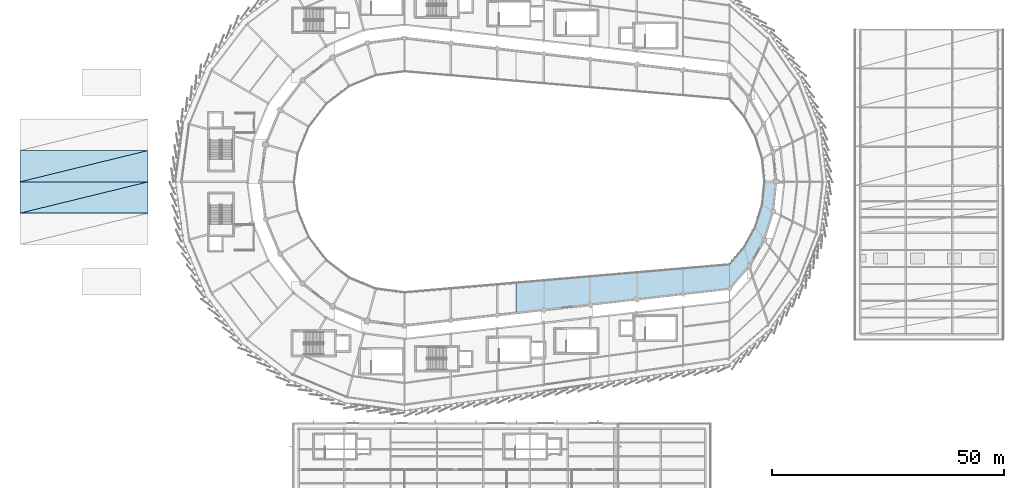
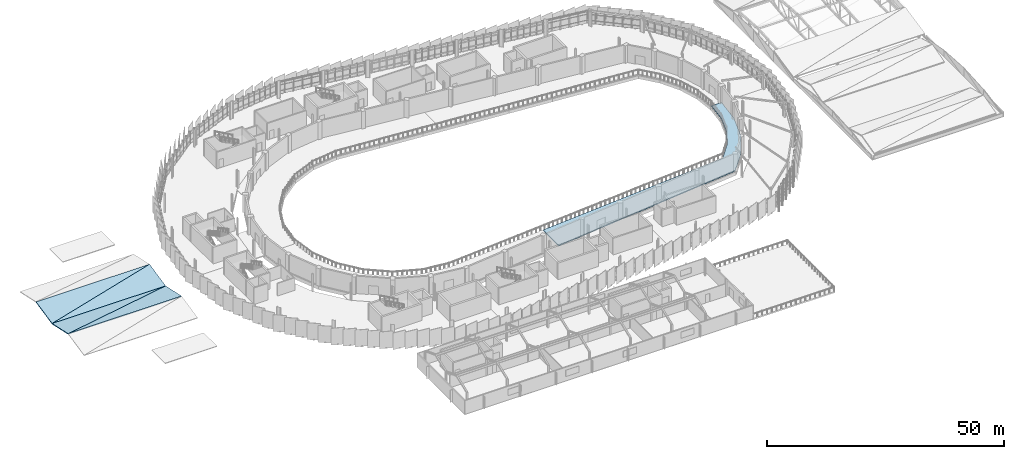
# One storey, part 63 of 87: 5 slabs.
"""IFC4 building model written with IfcOpenShell, lengths in metres."""

import ifcopenshell
import ifcopenshell.guid

model = None  # the IFC model being written
_history = None  # IfcOwnerHistory: only IFC2X3 demands one
_inside = {}  # id of a spatial element -> (the spatial element, [elements in it])
_under = {}  # id of a project, library or spatial element -> (it, [spatial elements below it])
_declared = {}  # id of a project -> (the project, [libraries it declares])
_typed = {}  # id of a type object -> (the type object, [elements of that type])
_made_of = {}  # id of a material, layer set ... -> (it, [elements and type objects made of it])


def new_model(schema):
    """Start an empty IFC model of exactly this schema.

    Asked for "IFC4X3", IfcOpenShell would pick the latest addendum, in which some entities
    have other attributes; the version numbers below select the first issue.
    IFC2X3 requires an IfcOwnerHistory on every rooted entity: one is made here for all.
    """
    global model, _history
    if schema == "IFC4X3":
        model = ifcopenshell.file(schema_version=(4, 3, 0, 0))
    else:
        model = ifcopenshell.file(schema=schema)
    _inside.clear()
    _under.clear()
    _declared.clear()
    _typed.clear()
    _made_of.clear()
    _history = None
    if model.schema == "IFC2X3":
        org = make("IfcOrganization", Name="unknown")
        user = make(
            "IfcPersonAndOrganization",
            ThePerson=make("IfcPerson", FamilyName="unknown"),
            TheOrganization=org,
        )
        app = make(
            "IfcApplication",
            ApplicationDeveloper=org,
            Version="unknown",
            ApplicationFullName="unknown",
            ApplicationIdentifier="unknown",
        )
        _history = make(
            "IfcOwnerHistory",
            OwningUser=user,
            OwningApplication=app,
            ChangeAction="ADDED",
            CreationDate=0,
        )
    return model


def make(cls, **values):
    """One entity of the class cls with the attributes given. An attribute that is None is left unset."""
    return model.create_entity(
        cls, **{name: value for name, value in values.items() if value is not None}
    )


def rooted(cls, **values):
    """An entity with a GlobalId (a new one), such as an element, a storey or a relation."""
    return make(cls, GlobalId=ifcopenshell.guid.new(), OwnerHistory=_history, **values)


def si_unit(unit_type, name, prefix=None):
    """IfcSIUnit, for example si_unit("LENGTHUNIT", "METRE", prefix="MILLI")."""
    return make("IfcSIUnit", UnitType=unit_type, Prefix=prefix, Name=name)


def assignment(units):
    """IfcUnitAssignment: the units of a project."""
    return None if units is None else make("IfcUnitAssignment", Units=units)


def point(xyz):
    """IfcCartesianPoint."""
    return None if xyz is None else make("IfcCartesianPoint", Coordinates=xyz)


def direction(xyz):
    """IfcDirection."""
    return None if xyz is None else make("IfcDirection", DirectionRatios=xyz)


def frame(location, z_axis=None, x_axis=None):
    """IfcAxis2Placement3D, a coordinate frame: its origin and axes. An axis left out is left unset."""
    return make(
        "IfcAxis2Placement3D",
        Location=point(location),
        Axis=direction(z_axis),
        RefDirection=direction(x_axis),
    )


def origin():
    """The frame at (0, 0, 0) with its axes left unset."""
    return frame((0.0, 0.0, 0.0))


def place(relative_to, where):
    """IfcLocalPlacement: puts the frame where relative to a parent placement (None: the world)."""
    return make(
        "IfcLocalPlacement", PlacementRelTo=relative_to, RelativePlacement=where
    )


def context(
    kind, dimensions, precision=None, world=None, true_north=None, identifier=None
):
    """IfcGeometricRepresentationContext, for example the 3D "Model" context."""
    return make(
        "IfcGeometricRepresentationContext",
        ContextIdentifier=identifier,
        ContextType=kind,
        CoordinateSpaceDimension=dimensions,
        Precision=precision,
        WorldCoordinateSystem=world,
        TrueNorth=true_north,
    )


def subcontext(parent, identifier, kind, view, scale=None):
    """IfcGeometricRepresentationSubContext, for example "Body" below "Model"."""
    return make(
        "IfcGeometricRepresentationSubContext",
        ContextIdentifier=identifier,
        ContextType=kind,
        ParentContext=parent,
        TargetScale=scale,
        TargetView=view,
    )


def project(units=None, contexts=None):
    """IfcProject with its units and contexts."""
    return rooted(
        "IfcProject",
        Name="project",
        RepresentationContexts=contexts,
        UnitsInContext=assignment(units),
    )


def spatial(cls, under=None, at=None, **own):
    """A site, building, storey or space (cls), placed at a placement, below another one or the project."""
    s = rooted(cls, ObjectPlacement=at, **own)
    if under is not None:
        _under.setdefault(under.id(), (under, []))[1].append(s)
    return s


def polyline(points):
    """IfcPolyline through the points."""
    return make("IfcPolyline", Points=[point(p) for p in points])


def outline(outer, holes=None, kind="AREA"):
    """IfcArbitraryClosedProfileDef: a profile drawn as a closed curve; with holes, ...WithVoids."""
    if holes is None:
        return make("IfcArbitraryClosedProfileDef", ProfileType=kind, OuterCurve=outer)
    return make(
        "IfcArbitraryProfileDefWithVoids",
        ProfileType=kind,
        OuterCurve=outer,
        InnerCurves=holes,
    )


def extrude(swept, where, along, depth):
    """IfcExtrudedAreaSolid: the profile swept, set in the frame where, extruded along a direction by depth."""
    return make(
        "IfcExtrudedAreaSolid",
        SweptArea=swept,
        Position=where,
        ExtrudedDirection=direction(along),
        Depth=depth,
    )


def shape(context_of_items, identifier, shape_type, items):
    """IfcShapeRepresentation: the items that make up one representation, for example the "Body"."""
    return make(
        "IfcShapeRepresentation",
        ContextOfItems=context_of_items,
        RepresentationIdentifier=identifier,
        RepresentationType=shape_type,
        Items=items,
    )


def material(Name=None, Category=None):
    """IfcMaterial."""
    return make("IfcMaterial", Name=Name, Category=Category)


def layer(
    of_material, thickness, ventilated=None, Name=None, Category=None, Priority=None
):
    """IfcMaterialLayer: one layer of a wall or slab, of a material (None: an air gap)."""
    return make(
        "IfcMaterialLayer",
        Material=of_material,
        LayerThickness=thickness,
        IsVentilated=ventilated,
        Name=Name,
        Category=Category,
        Priority=Priority,
    )


def layer_set(layers, Name=None):
    """IfcMaterialLayerSet."""
    return make("IfcMaterialLayerSet", MaterialLayers=layers, LayerSetName=Name)


def made_of(thing, what):
    """Note that an element or type object is made of a material, layer set ...; save() writes the relation."""
    if what is not None:
        _made_of.setdefault(what.id(), (what, []))[1].append(thing)
    return thing


def type_object(cls, material=None, **own):
    """A type object (cls), such as IfcWallType, which elements share."""
    return made_of(rooted(cls, **own), material)


def element(
    cls,
    number,
    at=None,
    inside=None,
    cuts=None,
    type_object=None,
    material=None,
    context=None,
    identifier="Body",
    shape_type=None,
    held_by="IfcProductDefinitionShape",
    body=None,
    shapes=None,
    **own,
):
    """One element of the class cls, such as IfcWall. Its Tag is "e" and its number.

    at: its placement. inside: the storey or other place that contains it. cuts: it is an
    opening in that element (IfcRelVoidsElement). A single representation is given by context,
    identifier, shape_type and body (its items); several are given by shapes. held_by: the class
    of the entity that holds the representations. save() writes the other relations.
    """
    e = rooted(cls, Tag="e%d" % number, ObjectPlacement=at, **own)
    if body is not None:
        shapes = [shape(context, identifier, shape_type, body)]
    if shapes is not None:
        e.Representation = make(held_by, Representations=shapes)
    if inside is not None:
        _inside.setdefault(inside.id(), (inside, []))[1].append(e)
    if cuts is not None:
        rooted(
            "IfcRelVoidsElement", RelatingBuildingElement=cuts, RelatedOpeningElement=e
        )
    if type_object is not None:
        _typed.setdefault(type_object.id(), (type_object, []))[1].append(e)
    return made_of(e, material)


def aggregate(whole, parts):
    """IfcRelAggregates: a whole, such as a stair, and the parts it consists of."""
    return rooted("IfcRelAggregates", RelatingObject=whole, RelatedObjects=parts)


def save(model, path):
    """Write the relations noted so far, then the file.

    IfcRelAggregates (storeys below a building ...), IfcRelContainedInSpatialStructure (elements
    in a storey), IfcRelDefinesByType, IfcRelAssociatesMaterial and IfcRelDeclares: one each for
    every whole, place, type object, material and project.
    """
    for whole, parts in _under.values():
        aggregate(whole, parts)
    for where, things in _inside.values():
        rooted(
            "IfcRelContainedInSpatialStructure",
            RelatedElements=things,
            RelatingStructure=where,
        )
    for kind, things in _typed.values():
        rooted("IfcRelDefinesByType", RelatedObjects=things, RelatingType=kind)
    for what, things in _made_of.values():
        rooted("IfcRelAssociatesMaterial", RelatedObjects=things, RelatingMaterial=what)
    for by, libraries in _declared.values():
        rooted("IfcRelDeclares", RelatingContext=by, RelatedDefinitions=libraries)
    model.write(path)


model = new_model("IFC4")

# Units and contexts
model_context = context("Model", 3, precision=1e-05, world=origin(), true_north=direction((0.0, 1.0)))
body_context = subcontext(model_context, "Body", "Model", "MODEL_VIEW")
ifc_project = project(units=[si_unit("LENGTHUNIT", "METRE"), si_unit("AREAUNIT", "SQUARE_METRE"), si_unit("VOLUMEUNIT", "CUBIC_METRE"), si_unit("PLANEANGLEUNIT", "RADIAN"), si_unit("MASSUNIT", "GRAM", prefix="KILO")], contexts=[model_context])

# Site, building, storey
site_placement = place(None, origin())
site = spatial("IfcSite", under=ifc_project, at=site_placement, CompositionType="ELEMENT")
building_placement = place(site_placement, origin())
building = spatial("IfcBuilding", under=site, at=building_placement, Name="Sohan Crest Arena", CompositionType="ELEMENT")
storey_placement = place(building_placement, frame((0.0, 0.0, 18.0)))
storey = spatial("IfcBuildingStorey", under=building, at=storey_placement, Name="L04", CompositionType="ELEMENT", Elevation=18.0)

# Slabs
ifc_material = material(Name="Concrete C40/50", Category="concrete")
ifc_layer_1 = layer(ifc_material, 0.25, Name="Concrete C40/50")
ifc_layer_set_1 = layer_set([ifc_layer_1], Name="Concrete C40/50")
slab_type_1 = type_object("IfcSlabType", Name="SL-FLR3", PredefinedType="FLOOR", material=ifc_layer_set_1)
slab_1_placement = place(storey_placement, frame((0.0, 0.0, -0.25)))
element("IfcSlab", 1, at=slab_1_placement, inside=storey, type_object=slab_type_1, Name="Bowl vomitory ring L04 Q4 SL-L04-V1Q4", PredefinedType="FLOOR", context=body_context, shape_type="SweptSolid", body=[
    extrude(outline(polyline([(177.363037109375, 71.593017578125), (175.408935546875, 65.455078125), (172.242919921875, 59.845947265625), (168.0, 55.0), (122.0, 49.742919921875), (122.0, 56.257080078125), (168.0, 60.199951171875), (171.194091796875, 63.988037109375), (173.571044921875, 68.3359375), (175.037109375, 73.070068359375), (175.531982421875, 78.0), (178.02294921875, 78.0), (177.363037109375, 71.593017578125)])), origin(), (0.0, 0.0, 1.0), 0.25),
])
ifc_layer_2 = layer(ifc_material, 0.195068359375, Name="Concrete C40/50")
ifc_layer_set_2 = layer_set([ifc_layer_2], Name="Concrete C40/50")
slab_type_2 = type_object("IfcSlabType", Name="SL-RF02", PredefinedType="ROOF", material=ifc_layer_set_2)
slab_2_placement = place(storey_placement, frame((15.199951171875, 71.25, 1.64990234375), z_axis=(0.0, 0.212786162672, 0.97709879182), x_axis=(1.0, 0.0, 0.0)))
element("IfcSlab", 2, at=slab_2_placement, inside=storey, type_object=slab_type_2, Name="Pavilion Catalan vault slab RF-V3-PAV2A", PredefinedType="ROOF", context=body_context, shape_type="SweptSolid", body=[
    extrude(outline(polyline([(0.0, 0.0), (27.60009765625, 0.0), (27.60009765625, 6.908206269940541), (0.0, 0.0)])), origin(), (0.0, 0.0, -1.0), 0.195068359375),
])
slab_3_placement = place(storey_placement, frame((15.199951171875, 71.25, 1.64990234375), z_axis=(0.0, 0.212786162672, 0.97709879182), x_axis=(0.970074798417, 0.237245714521, -0.051665814783)))
element("IfcSlab", 3, at=slab_3_placement, inside=storey, type_object=slab_type_2, Name="Pavilion Catalan vault slab RF-V3-PAV2B", PredefinedType="ROOF", context=body_context, shape_type="SweptSolid", body=[
    extrude(outline(polyline([(0.0, 0.0), (28.451514977283416, 8.881784197001252e-16), (1.677355807103755, 6.701476804736483), (0.0, 0.0)])), origin(), (0.0, 0.0, -1.0), 0.195068359375),
])
slab_4_placement = place(storey_placement, frame((15.199951171875, 78.0, 0.179931640625), z_axis=(0.0, -0.212786162672, 0.97709879182), x_axis=(1.0, 0.0, 0.0)))
element("IfcSlab", 4, at=slab_4_placement, inside=storey, type_object=slab_type_2, Name="Pavilion Catalan vault slab RF-V3-PAV3A", PredefinedType="ROOF", context=body_context, shape_type="SweptSolid", body=[
    extrude(outline(polyline([(0.0, 0.0), (27.60009765625, 0.0), (27.60009765625, 6.908206269940541), (0.0, 0.0)])), origin(), (0.0, 0.0, -1.0), 0.195068359375),
])
slab_5_placement = place(storey_placement, frame((15.199951171875, 78.0, 0.179931640625), z_axis=(0.0, -0.212786162672, 0.97709879182), x_axis=(0.970074798417, 0.237245714521, 0.051665814783)))
element("IfcSlab", 5, at=slab_5_placement, inside=storey, type_object=slab_type_2, Name="Pavilion Catalan vault slab RF-V3-PAV3B", PredefinedType="ROOF", context=body_context, shape_type="SweptSolid", body=[
    extrude(outline(polyline([(0.0, 0.0), (28.451514977283416, 8.881784197001252e-16), (1.677355807103755, 6.701476804736483), (0.0, 0.0)])), origin(), (0.0, 0.0, -1.0), 0.195068359375),
])

save(model, "model.ifc")
